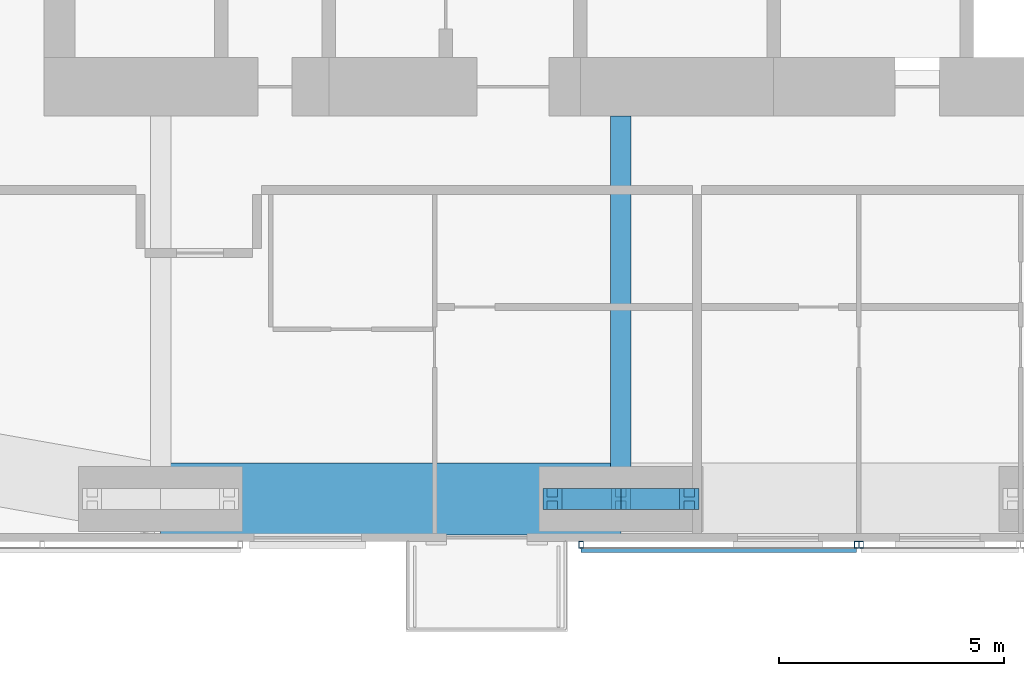
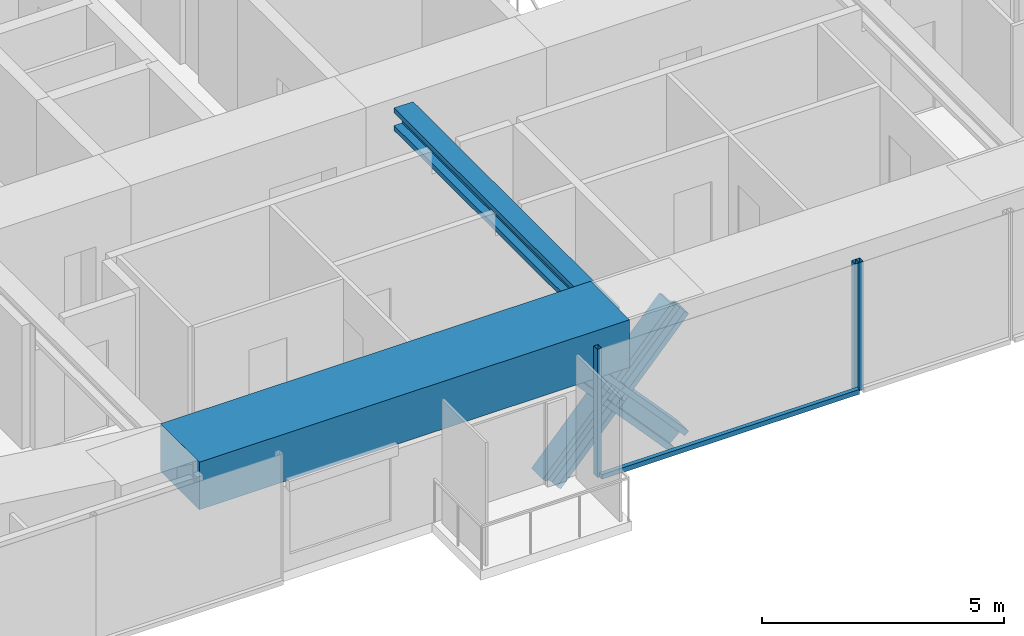
# One storey, part 3 of 22: 8 members, 2 beams, 2 elements without a shape of their own.
"""IFC4 building model written with IfcOpenShell, lengths in metres."""

from ifc_helpers import new_model, si_unit, direction, frame, origin, origin_2d, place, context, subcontext, project, spatial, rectangle, hollow_rectangle, i_section, extrude, material, material_profile, profile_set, type_object, element, aggregate, save


model = new_model("IFC4")

# Units and contexts
model_context = context("Model", 3, precision=1e-05, world=origin(), true_north=direction((0.0, 1.0)))
body_context = subcontext(model_context, "Body", "Model", "MODEL_VIEW")
ifc_project = project(units=[si_unit("LENGTHUNIT", "METRE"), si_unit("AREAUNIT", "SQUARE_METRE"), si_unit("VOLUMEUNIT", "CUBIC_METRE"), si_unit("PLANEANGLEUNIT", "RADIAN"), si_unit("MASSUNIT", "GRAM", prefix="KILO")], contexts=[model_context])

# Site, building, storey
site_placement = place(None, origin())
site = spatial("IfcSite", under=ifc_project, at=site_placement, CompositionType="ELEMENT")
building_placement = place(site_placement, origin())
building = spatial("IfcBuilding", under=site, at=building_placement, Name="Jalousie Tower", CompositionType="ELEMENT")
storey_placement = place(building_placement, frame((0.0, 0.0, 201.25)))
storey = spatial("IfcBuildingStorey", under=building, at=storey_placement, Name="L55", CompositionType="ELEMENT", Elevation=201.25)

# Beam
ifc_material_1 = material(Name="Steel ASTM A992 Grade 50", Category="steel")
ifc_material_profile_1 = material_profile(ifc_material_1, i_section(OverallWidth=0.45458984375, OverallDepth=0.569091796875, WebThickness=0.077880859375, FlangeThickness=0.124755859375, at=origin_2d()), Name="W14X730")
ifc_profile_set_1 = profile_set([ifc_material_profile_1], Name="Steel ASTM A992 Grade 50")
beam_type_1 = type_object("IfcBeamType", Name="LEAN COLLECTOR W14X730", PredefinedType="BEAM", material=ifc_profile_set_1)
beam_1_placement = place(storey_placement, frame((32.5, 0.949951171875, 2.825439453125), z_axis=(0.0, 1.0, 0.0), x_axis=(-1.0, 0.0, 0.0)))
element("IfcBeam", 1, at=beam_1_placement, inside=storey, type_object=beam_type_1, Name="Lean collector under L56", PredefinedType="BEAM", context=body_context, shape_type="SweptSolid", body=[
    extrude(i_section(OverallWidth=0.45458984375, OverallDepth=0.569091796875, WebThickness=0.077880859375, FlangeThickness=0.124755859375, at=origin_2d()), origin(), (0.0, 0.0, 1.0), 8.525146484375),
])

# Members
ifc_material_2 = material(Name="Steel ASTM A992 Grade 50", Category="steel")
ifc_material_profile_2 = material_profile(ifc_material_2, i_section(OverallWidth=0.472412109375, OverallDepth=0.5791015625, WebThickness=0.094970703125, FlangeThickness=0.1298828125, at=origin_2d()), Name="W14X808")
ifc_profile_set_2 = profile_set([ifc_material_profile_2], Name="Steel ASTM A992 Grade 50")
member_type_1 = type_object("IfcMemberType", Name="PERIMETER BRACE W14X808", PredefinedType="BRACE", material=ifc_profile_set_2)
for number, where, z_axis, x_axis, name in (
    (2, (30.97509765625, 0.949951171875, -0.60009765625), (0.673187629365, 0.0, 0.739471713908), (0.0, 1.0, 0.0), "Perimeter brace 03 L55 part 1"),
    (3, (32.5, 0.949951171875, 1.074951171875), (0.673187629365, 0.0, 0.739471713908), (0.0, 1.0, 0.0), "Perimeter brace 03 L55 part 2"),
    (4, (34.02490234375, 0.949951171875, -0.60009765625), (-0.673187629365, 0.0, 0.739471713908), (0.0, -1.0, 0.0), "Perimeter brace 03 L55 part 3"),
    (5, (32.5, 0.949951171875, 1.074951171875), (-0.673187629365, 0.0, 0.739471713908), (0.0, -1.0, 0.0), "Perimeter brace 03 L55 part 4"),
):
    element("IfcMember", number, at=place(storey_placement, frame(where, z_axis=z_axis, x_axis=x_axis)), inside=storey, type_object=member_type_1, Name=name, PredefinedType="BRACE", context=body_context, shape_type="SweptSolid", body=[
        extrude(i_section(OverallWidth=0.472412109375, OverallDepth=0.5791015625, WebThickness=0.094970703125, FlangeThickness=0.1298828125, at=origin_2d()), origin(), (0.0, 0.0, 1.0), 2.26513671875),
    ])

# Beam
ifc_material_3 = material(Name="Concrete f'c 40 MPa", Category="concrete")
ifc_material_profile_3 = material_profile(ifc_material_3, rectangle(XDim=1.60009765625, YDim=1.199951171875, at=origin_2d()), Name="RC 1600x1200")
ifc_profile_set_3 = profile_set([ifc_material_profile_3], Name="Concrete f'c 40 MPa")
beam_type_2 = type_object("IfcBeamType", Name="RC BEAM 1600x1200", PredefinedType="BEAM", material=ifc_profile_set_3)
beam_2_placement = place(storey_placement, frame((22.25, 0.949951171875, 2.75), z_axis=(1.0, 0.0, 0.0), x_axis=(0.0, 1.0, 0.0)))
element("IfcBeam", 6, at=beam_2_placement, inside=storey, type_object=beam_type_2, Name="Edge band beam 02-03 under L56", PredefinedType="BEAM", context=body_context, shape_type="SweptSolid", body=[
    extrude(rectangle(XDim=1.60009765625, YDim=1.199951171875, at=origin_2d()), origin(), (0.0, 0.0, 1.0), 10.25),
])

# Curtain wall, members
ifc_material_4 = material(Name="Perforated aluminium sheet", Category="aluminium")
curtain_wall_type = type_object("IfcCurtainWallType", Name="SOLAR SCREEN SS-1", PredefinedType="USERDEFINED", material=ifc_material_4)
curtain_wall_1_placement = place(storey_placement, origin())
curtain_wall_1 = element("IfcCurtainWall", 7, at=curtain_wall_1_placement, inside=storey, type_object=curtain_wall_type, Name="Solar screen L55", ObjectType="SOLAR SCREEN SS-1", PredefinedType="USERDEFINED")
ifc_material_5 = material(Name="Steel ASTM A500 Grade C", Category="steel")
ifc_material_profile_4 = material_profile(ifc_material_5, hollow_rectangle(XDim=0.1015625, YDim=0.15234375, WallThickness=0.00634765625, at=origin_2d()), Name="HSS6X4X1/4")
ifc_profile_set_4 = profile_set([ifc_material_profile_4], Name="Steel ASTM A500 Grade C")
member_type_2 = type_object("IfcMemberType", Name="SOLAR SCREEN SS-1 MULLION", PredefinedType="MULLION", material=ifc_profile_set_4)
member_1_placement = place(storey_placement, frame((31.612548828125, -0.0712890625, -0.1201171875), z_axis=(0.0, 0.0, 1.0), x_axis=(1.0, 0.0, 0.0)))
member_1 = element("IfcMember", 8, at=member_1_placement, type_object=member_type_2, Name="SS1 post 1", PredefinedType="MULLION", context=body_context, shape_type="SweptSolid", body=[
    extrude(hollow_rectangle(XDim=0.1015625, YDim=0.15234375, WallThickness=0.00634765625, at=origin_2d()), origin(), (0.0, 0.0, 1.0), 3.230224609375),
])
member_2_placement = place(storey_placement, frame((37.75, -0.0712890625, -0.1201171875), z_axis=(0.0, 0.0, 1.0), x_axis=(1.0, 0.0, 0.0)))
member_2 = element("IfcMember", 9, at=member_2_placement, type_object=member_type_2, Name="SS1 post 2", PredefinedType="MULLION", context=body_context, shape_type="SweptSolid", body=[
    extrude(hollow_rectangle(XDim=0.1015625, YDim=0.15234375, WallThickness=0.00634765625, at=origin_2d()), origin(), (0.0, 0.0, 1.0), 3.230224609375),
])

# Curtain wall, member
curtain_wall_2_placement = place(storey_placement, origin())
curtain_wall_2 = element("IfcCurtainWall", 10, at=curtain_wall_2_placement, inside=storey, type_object=curtain_wall_type, Name="Solar screen L55", ObjectType="SOLAR SCREEN SS-1", PredefinedType="USERDEFINED")
member_3_placement = place(storey_placement, frame((37.85009765625, -0.0712890625, -0.1201171875), z_axis=(0.0, 0.0, 1.0), x_axis=(1.0, 0.0, 0.0)))
member_3 = element("IfcMember", 11, at=member_3_placement, type_object=member_type_2, Name="SS1 post 1", PredefinedType="MULLION", context=body_context, shape_type="SweptSolid", body=[
    extrude(hollow_rectangle(XDim=0.1015625, YDim=0.15234375, WallThickness=0.00634765625, at=origin_2d()), origin(), (0.0, 0.0, 1.0), 3.230224609375),
])
aggregate(curtain_wall_2, [member_3])

# Member
ifc_material_6 = material(Name="Extruded aluminium screen rail", Category="aluminium")
ifc_material_profile_5 = material_profile(ifc_material_6, rectangle(XDim=0.1015625, YDim=0.1201171875, at=origin_2d()), Name="RAIL 102x120")
ifc_profile_set_5 = profile_set([ifc_material_profile_5], Name="Extruded aluminium screen rail")
member_type_3 = type_object("IfcMemberType", Name="SOLAR SCREEN SS-1 TRANSOM", PredefinedType="USERDEFINED", material=ifc_profile_set_5)
member_4_placement = place(storey_placement, frame((31.612548828125, -0.1982421875, -0.06005859375), z_axis=(1.0, 0.0, 0.0), x_axis=(0.0, 1.0, 0.0)))
member_4 = element("IfcMember", 12, at=member_4_placement, type_object=member_type_3, Name="SS1 rail", ObjectType="TRANSOM", PredefinedType="USERDEFINED", context=body_context, shape_type="SweptSolid", body=[
    extrude(rectangle(XDim=0.1015625, YDim=0.1201171875, at=origin_2d()), origin(), (0.0, 0.0, 1.0), 6.137451171875),
])

aggregate(curtain_wall_1, [member_1, member_2, member_4])

save(model, "model.ifc")
